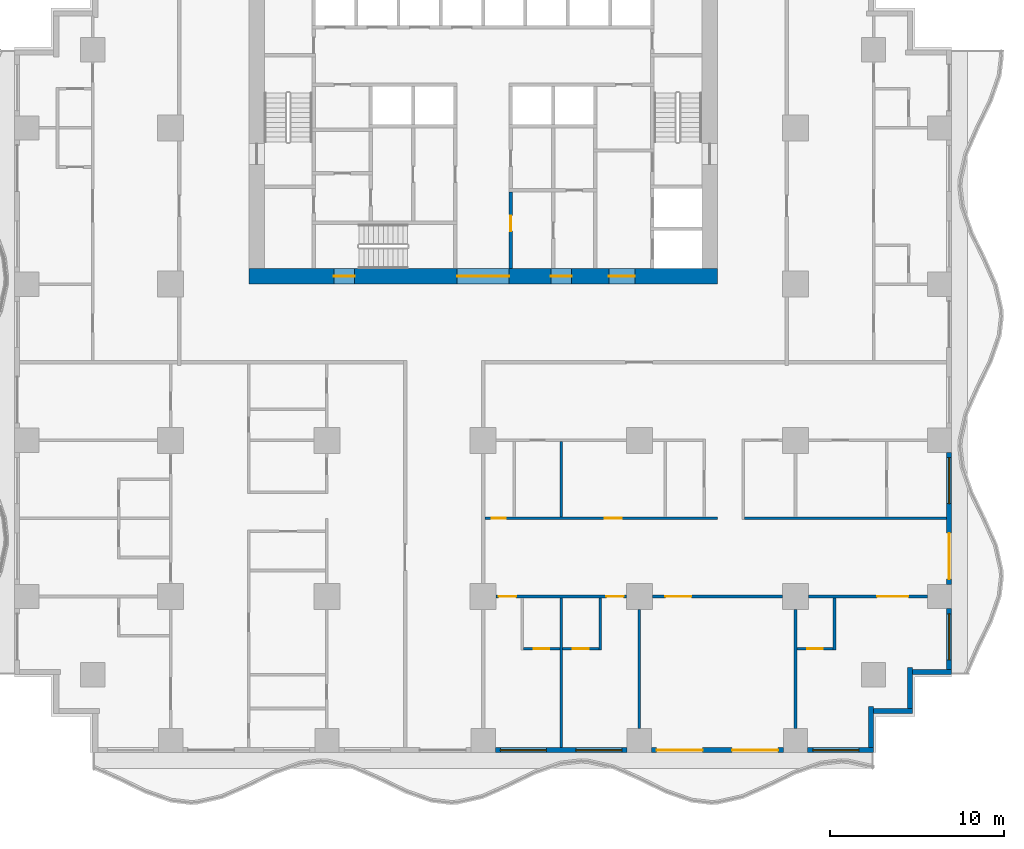
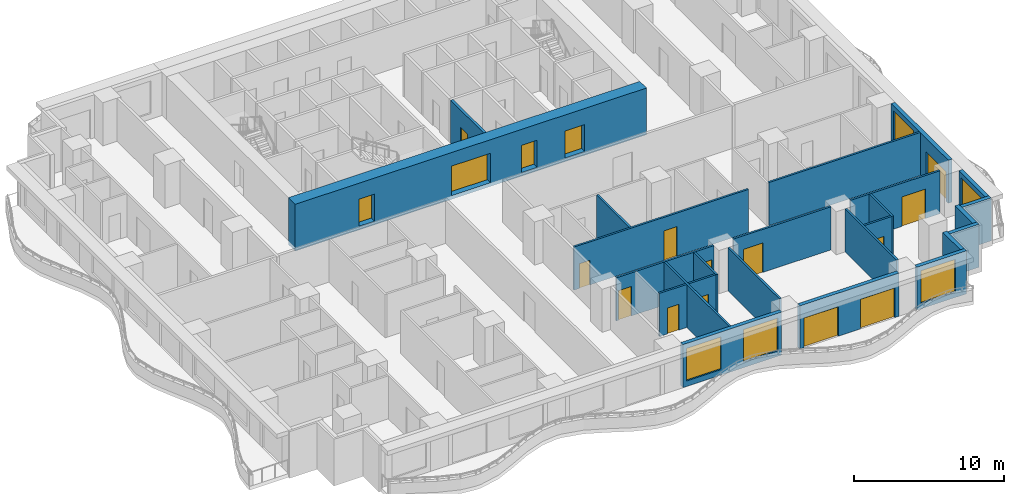
# One storey, part 3 of 14: 25 walls, 17 doors, 5 windows, 22 openings.
"""IFC4 building model written with IfcOpenShell, lengths in metres."""

import ifcopenshell
import ifcopenshell.guid

model = None  # the IFC model being written
_history = None  # IfcOwnerHistory: only IFC2X3 demands one
_inside = {}  # id of a spatial element -> (the spatial element, [elements in it])
_under = {}  # id of a project, library or spatial element -> (it, [spatial elements below it])
_declared = {}  # id of a project -> (the project, [libraries it declares])
_typed = {}  # id of a type object -> (the type object, [elements of that type])
_made_of = {}  # id of a material, layer set ... -> (it, [elements and type objects made of it])


def new_model(schema):
    """Start an empty IFC model of exactly this schema.

    Asked for "IFC4X3", IfcOpenShell would pick the latest addendum, in which some entities
    have other attributes; the version numbers below select the first issue.
    IFC2X3 requires an IfcOwnerHistory on every rooted entity: one is made here for all.
    """
    global model, _history
    if schema == "IFC4X3":
        model = ifcopenshell.file(schema_version=(4, 3, 0, 0))
    else:
        model = ifcopenshell.file(schema=schema)
    _inside.clear()
    _under.clear()
    _declared.clear()
    _typed.clear()
    _made_of.clear()
    _history = None
    if model.schema == "IFC2X3":
        org = make("IfcOrganization", Name="unknown")
        user = make(
            "IfcPersonAndOrganization",
            ThePerson=make("IfcPerson", FamilyName="unknown"),
            TheOrganization=org,
        )
        app = make(
            "IfcApplication",
            ApplicationDeveloper=org,
            Version="unknown",
            ApplicationFullName="unknown",
            ApplicationIdentifier="unknown",
        )
        _history = make(
            "IfcOwnerHistory",
            OwningUser=user,
            OwningApplication=app,
            ChangeAction="ADDED",
            CreationDate=0,
        )
    return model


def make(cls, **values):
    """One entity of the class cls with the attributes given. An attribute that is None is left unset."""
    return model.create_entity(
        cls, **{name: value for name, value in values.items() if value is not None}
    )


def rooted(cls, **values):
    """An entity with a GlobalId (a new one), such as an element, a storey or a relation."""
    return make(cls, GlobalId=ifcopenshell.guid.new(), OwnerHistory=_history, **values)


def si_unit(unit_type, name, prefix=None):
    """IfcSIUnit, for example si_unit("LENGTHUNIT", "METRE", prefix="MILLI")."""
    return make("IfcSIUnit", UnitType=unit_type, Prefix=prefix, Name=name)


def assignment(units):
    """IfcUnitAssignment: the units of a project."""
    return None if units is None else make("IfcUnitAssignment", Units=units)


def point(xyz):
    """IfcCartesianPoint."""
    return None if xyz is None else make("IfcCartesianPoint", Coordinates=xyz)


def direction(xyz):
    """IfcDirection."""
    return None if xyz is None else make("IfcDirection", DirectionRatios=xyz)


def frame(location, z_axis=None, x_axis=None):
    """IfcAxis2Placement3D, a coordinate frame: its origin and axes. An axis left out is left unset."""
    return make(
        "IfcAxis2Placement3D",
        Location=point(location),
        Axis=direction(z_axis),
        RefDirection=direction(x_axis),
    )


def frame_2d(location, x_axis=None):
    """IfcAxis2Placement2D, a coordinate frame in the plane: its origin and x axis."""
    return make(
        "IfcAxis2Placement2D", Location=point(location), RefDirection=direction(x_axis)
    )


def origin():
    """The frame at (0, 0, 0) with its axes left unset."""
    return frame((0.0, 0.0, 0.0))


def place(relative_to, where):
    """IfcLocalPlacement: puts the frame where relative to a parent placement (None: the world)."""
    return make(
        "IfcLocalPlacement", PlacementRelTo=relative_to, RelativePlacement=where
    )


def context(
    kind, dimensions, precision=None, world=None, true_north=None, identifier=None
):
    """IfcGeometricRepresentationContext, for example the 3D "Model" context."""
    return make(
        "IfcGeometricRepresentationContext",
        ContextIdentifier=identifier,
        ContextType=kind,
        CoordinateSpaceDimension=dimensions,
        Precision=precision,
        WorldCoordinateSystem=world,
        TrueNorth=true_north,
    )


def subcontext(parent, identifier, kind, view, scale=None):
    """IfcGeometricRepresentationSubContext, for example "Body" below "Model"."""
    return make(
        "IfcGeometricRepresentationSubContext",
        ContextIdentifier=identifier,
        ContextType=kind,
        ParentContext=parent,
        TargetScale=scale,
        TargetView=view,
    )


def project(units=None, contexts=None):
    """IfcProject with its units and contexts."""
    return rooted(
        "IfcProject",
        Name="project",
        RepresentationContexts=contexts,
        UnitsInContext=assignment(units),
    )


def spatial(cls, under=None, at=None, **own):
    """A site, building, storey or space (cls), placed at a placement, below another one or the project."""
    s = rooted(cls, ObjectPlacement=at, **own)
    if under is not None:
        _under.setdefault(under.id(), (under, []))[1].append(s)
    return s


def profile(cls, at=None, kind="AREA", **sizes):
    """A parametric profile (cls). Its sizes go by their IFC names, for example OverallWidth=200.0."""
    return make(cls, ProfileType=kind, Position=at, **sizes)


def rectangle(**sizes):
    """IfcRectangleProfileDef."""
    return profile("IfcRectangleProfileDef", **sizes)


def extrude(swept, where, along, depth):
    """IfcExtrudedAreaSolid: the profile swept, set in the frame where, extruded along a direction by depth."""
    return make(
        "IfcExtrudedAreaSolid",
        SweptArea=swept,
        Position=where,
        ExtrudedDirection=direction(along),
        Depth=depth,
    )


def shape(context_of_items, identifier, shape_type, items):
    """IfcShapeRepresentation: the items that make up one representation, for example the "Body"."""
    return make(
        "IfcShapeRepresentation",
        ContextOfItems=context_of_items,
        RepresentationIdentifier=identifier,
        RepresentationType=shape_type,
        Items=items,
    )


def material(Name=None, Category=None):
    """IfcMaterial."""
    return make("IfcMaterial", Name=Name, Category=Category)


def layer(
    of_material, thickness, ventilated=None, Name=None, Category=None, Priority=None
):
    """IfcMaterialLayer: one layer of a wall or slab, of a material (None: an air gap)."""
    return make(
        "IfcMaterialLayer",
        Material=of_material,
        LayerThickness=thickness,
        IsVentilated=ventilated,
        Name=Name,
        Category=Category,
        Priority=Priority,
    )


def layer_set(layers, Name=None):
    """IfcMaterialLayerSet."""
    return make("IfcMaterialLayerSet", MaterialLayers=layers, LayerSetName=Name)


def made_of(thing, what):
    """Note that an element or type object is made of a material, layer set ...; save() writes the relation."""
    if what is not None:
        _made_of.setdefault(what.id(), (what, []))[1].append(thing)
    return thing


def type_object(cls, material=None, **own):
    """A type object (cls), such as IfcWallType, which elements share."""
    return made_of(rooted(cls, **own), material)


def element(
    cls,
    number,
    at=None,
    inside=None,
    cuts=None,
    type_object=None,
    material=None,
    context=None,
    identifier="Body",
    shape_type=None,
    held_by="IfcProductDefinitionShape",
    body=None,
    shapes=None,
    **own,
):
    """One element of the class cls, such as IfcWall. Its Tag is "e" and its number.

    at: its placement. inside: the storey or other place that contains it. cuts: it is an
    opening in that element (IfcRelVoidsElement). A single representation is given by context,
    identifier, shape_type and body (its items); several are given by shapes. held_by: the class
    of the entity that holds the representations. save() writes the other relations.
    """
    e = rooted(cls, Tag="e%d" % number, ObjectPlacement=at, **own)
    if body is not None:
        shapes = [shape(context, identifier, shape_type, body)]
    if shapes is not None:
        e.Representation = make(held_by, Representations=shapes)
    if inside is not None:
        _inside.setdefault(inside.id(), (inside, []))[1].append(e)
    if cuts is not None:
        rooted(
            "IfcRelVoidsElement", RelatingBuildingElement=cuts, RelatedOpeningElement=e
        )
    if type_object is not None:
        _typed.setdefault(type_object.id(), (type_object, []))[1].append(e)
    return made_of(e, material)


def fill(opening, filler):
    """IfcRelFillsElement: the door or window that sits in an opening."""
    return rooted(
        "IfcRelFillsElement",
        RelatingOpeningElement=opening,
        RelatedBuildingElement=filler,
    )


def aggregate(whole, parts):
    """IfcRelAggregates: a whole, such as a stair, and the parts it consists of."""
    return rooted("IfcRelAggregates", RelatingObject=whole, RelatedObjects=parts)


def save(model, path):
    """Write the relations noted so far, then the file.

    IfcRelAggregates (storeys below a building ...), IfcRelContainedInSpatialStructure (elements
    in a storey), IfcRelDefinesByType, IfcRelAssociatesMaterial and IfcRelDeclares: one each for
    every whole, place, type object, material and project.
    """
    for whole, parts in _under.values():
        aggregate(whole, parts)
    for where, things in _inside.values():
        rooted(
            "IfcRelContainedInSpatialStructure",
            RelatedElements=things,
            RelatingStructure=where,
        )
    for kind, things in _typed.values():
        rooted("IfcRelDefinesByType", RelatedObjects=things, RelatingType=kind)
    for what, things in _made_of.values():
        rooted("IfcRelAssociatesMaterial", RelatedObjects=things, RelatingMaterial=what)
    for by, libraries in _declared.values():
        rooted("IfcRelDeclares", RelatingContext=by, RelatedDefinitions=libraries)
    model.write(path)


model = new_model("IFC4")

# Units and contexts
model_context = context("Model", 3, precision=1e-05, world=origin(), true_north=direction((0.0, 1.0)))
body_context = subcontext(model_context, "Body", "Model", "MODEL_VIEW")
ifc_project = project(units=[si_unit("LENGTHUNIT", "METRE"), si_unit("AREAUNIT", "SQUARE_METRE"), si_unit("VOLUMEUNIT", "CUBIC_METRE"), si_unit("PLANEANGLEUNIT", "RADIAN"), si_unit("MASSUNIT", "GRAM", prefix="KILO")], contexts=[model_context])

# Site, building, storey
site_placement = place(None, origin())
site = spatial("IfcSite", under=ifc_project, at=site_placement, CompositionType="ELEMENT")
building_placement = place(site_placement, origin())
building = spatial("IfcBuilding", under=site, at=building_placement, Name="Orbiselva Terraces", CompositionType="ELEMENT")
storey_placement = place(building_placement, frame((0.0, 0.0, 41.6)))
storey = spatial("IfcBuildingStorey", under=building, at=storey_placement, Name="L10", CompositionType="ELEMENT", Elevation=41.6)

# Wall, openings, doors
ifc_material_1 = material(Name="Concrete C80/95", Category="concrete")
ifc_layer_1 = layer(ifc_material_1, 0.9)
ifc_layer_set_1 = layer_set([ifc_layer_1], Name="Concrete C80/95")
wall_type_1 = type_object("IfcWallType", Name="CORE WALL 900", PredefinedType="SHEAR", material=ifc_layer_set_1)
wall_1_placement = place(storey_placement, frame((-13.5, 4.95, -0.3), z_axis=(0.0, 0.0, 1.0), x_axis=(1.0, 0.0, 0.0)))
wall_1 = element("IfcWall", 1, at=wall_1_placement, inside=storey, type_object=wall_type_1, Name="Core wall L10 south", PredefinedType="SHEAR", context=body_context, shape_type="SweptSolid", body=[
    extrude(rectangle(XDim=27.0, YDim=0.9, at=frame_2d((13.5, 0.0))), origin(), (0.0, 0.0, 1.0), 3.8),
])
opening_1_placement = place(wall_1_placement, frame((12.0, 0.0, 0.3)))
opening_1 = element("IfcOpeningElement", 2, at=opening_1_placement, cuts=wall_1, Name="Opening DL3000", PredefinedType="OPENING", context=body_context, shape_type="SweptSolid", body=[
    extrude(rectangle(XDim=3.0, YDim=2.4, at=frame_2d((1.5, 1.2))), frame((0.0, 0.46, 0.0), z_axis=(0.0, -1.0, 0.0), x_axis=(1.0, 0.0, 0.0)), (0.0, 0.0, 1.0), 0.92),
])
opening_2_placement = place(wall_1_placement, frame((4.9, 0.0, 0.3)))
opening_2 = element("IfcOpeningElement", 3, at=opening_2_placement, cuts=wall_1, Name="Opening DS1200", PredefinedType="OPENING", context=body_context, shape_type="SweptSolid", body=[
    extrude(rectangle(XDim=1.2, YDim=2.2, at=frame_2d((0.6, 1.1))), frame((0.0, 0.46, 0.0), z_axis=(0.0, -1.0, 0.0), x_axis=(1.0, 0.0, 0.0)), (0.0, 0.0, 1.0), 0.92),
])
opening_3_placement = place(wall_1_placement, frame((20.75, 0.0, 0.3)))
opening_3 = element("IfcOpeningElement", 4, at=opening_3_placement, cuts=wall_1, Name="Opening DF1500", PredefinedType="OPENING", context=body_context, shape_type="SweptSolid", body=[
    extrude(rectangle(XDim=1.5, YDim=2.2, at=frame_2d((0.75, 1.1))), frame((0.0, 0.46, 0.0), z_axis=(0.0, -1.0, 0.0), x_axis=(1.0, 0.0, 0.0)), (0.0, 0.0, 1.0), 0.92),
])
opening_4_placement = place(wall_1_placement, frame((17.4, 0.0, 0.3)))
opening_4 = element("IfcOpeningElement", 5, at=opening_4_placement, cuts=wall_1, Name="Opening DV1200", PredefinedType="OPENING", context=body_context, shape_type="SweptSolid", body=[
    extrude(rectangle(XDim=1.2, YDim=2.2, at=frame_2d((0.6, 1.1))), frame((0.0, 0.46, 0.0), z_axis=(0.0, -1.0, 0.0), x_axis=(1.0, 0.0, 0.0)), (0.0, 0.0, 1.0), 0.92),
])
ifc_material_2 = material(Name="Steel fire door", Category="steel")
door_type_1 = type_object("IfcDoorType", Name="FFL DOOR 1500", OperationType="DOUBLE_DOOR_SINGLE_SWING", PredefinedType="DOOR", material=ifc_material_2)
door_1_placement = place(opening_3_placement, frame((1.5, 0.0, 0.0), z_axis=(0.0, 0.0, 1.0), x_axis=(-1.0, 0.0, 0.0)))
door_1 = element("IfcDoor", 6, at=door_1_placement, inside=storey, type_object=door_type_1, Name="L10 FIRE-FIGHTING LOBBY door", OperationType="DOUBLE_DOOR_SINGLE_SWING", OverallHeight=2.2, OverallWidth=1.5, PredefinedType="DOOR", context=body_context, shape_type="SweptSolid", body=[
    extrude(rectangle(XDim=1.5, YDim=2.2, at=frame_2d((0.75, 1.1))), frame((0.0, 0.025, 0.0), z_axis=(0.0, -1.0, 0.0), x_axis=(1.0, 0.0, 0.0)), (0.0, 0.0, 1.0), 0.05),
])
fill(opening_3, door_1)
door_type_2 = type_object("IfcDoorType", Name="LOBBY DOOR 3000", OperationType="DOUBLE_DOOR_SINGLE_SWING", PredefinedType="DOOR", material=ifc_material_2)
door_2_placement = place(opening_1_placement, frame((3.0, 0.0, 0.0), z_axis=(0.0, 0.0, 1.0), x_axis=(-1.0, 0.0, 0.0)))
door_2 = element("IfcDoor", 7, at=door_2_placement, inside=storey, type_object=door_type_2, Name="L10 LIFT LOBBY door", OperationType="DOUBLE_DOOR_SINGLE_SWING", OverallHeight=2.4, OverallWidth=3.0, PredefinedType="DOOR", context=body_context, shape_type="SweptSolid", body=[
    extrude(rectangle(XDim=3.0, YDim=2.4, at=frame_2d((1.5, 1.2))), frame((0.0, 0.025, 0.0), z_axis=(0.0, -1.0, 0.0), x_axis=(1.0, 0.0, 0.0)), (0.0, 0.0, 1.0), 0.05),
])
fill(opening_1, door_2)
door_type_3 = type_object("IfcDoorType", Name="SERVICE DOOR 1200", OperationType="NOTDEFINED", PredefinedType="DOOR", material=ifc_material_2)
door_3_placement = place(opening_4_placement, frame((1.2, 0.0, 0.0), z_axis=(0.0, 0.0, 1.0), x_axis=(-1.0, 0.0, 0.0)))
door_3 = element("IfcDoor", 8, at=door_3_placement, inside=storey, type_object=door_type_3, Name="L10 SPARE PARTS STORE door", OperationType="SINGLE_SWING_RIGHT", OverallHeight=2.2, OverallWidth=1.2, PredefinedType="DOOR", context=body_context, shape_type="SweptSolid", body=[
    extrude(rectangle(XDim=1.2, YDim=2.2, at=frame_2d((0.6, 1.1))), frame((0.0, 0.025, 0.0), z_axis=(0.0, -1.0, 0.0), x_axis=(1.0, 0.0, 0.0)), (0.0, 0.0, 1.0), 0.05),
])
fill(opening_4, door_3)
door_type_4 = type_object("IfcDoorType", Name="STAIR DOOR 1200", OperationType="NOTDEFINED", PredefinedType="DOOR", material=ifc_material_2)
door_4_placement = place(opening_2_placement, frame((1.2, 0.0, 0.0), z_axis=(0.0, 0.0, 1.0), x_axis=(-1.0, 0.0, 0.0)))
door_4 = element("IfcDoor", 9, at=door_4_placement, inside=storey, type_object=door_type_4, Name="L10 EXIT STAIR S3 door", OperationType="SINGLE_SWING_LEFT", OverallHeight=2.2, OverallWidth=1.2, PredefinedType="DOOR", context=body_context, shape_type="SweptSolid", body=[
    extrude(rectangle(XDim=1.2, YDim=2.2, at=frame_2d((0.6, 1.1))), frame((0.0, 0.025, 0.0), z_axis=(0.0, -1.0, 0.0), x_axis=(1.0, 0.0, 0.0)), (0.0, 0.0, 1.0), 0.05),
])
fill(opening_2, door_4)

# Wall, opening, door
ifc_material_3 = material(Name="Concrete C60/75", Category="concrete")
ifc_layer_2 = layer(ifc_material_3, 0.2)
ifc_layer_set_2 = layer_set([ifc_layer_2], Name="Concrete C60/75")
wall_type_2 = type_object("IfcWallType", Name="CORE-WALL-SHEAR-200", PredefinedType="SHEAR", material=ifc_layer_set_2)
wall_2_placement = place(storey_placement, frame((1.6, 9.8, 0.0), z_axis=(0.0, 0.0, 1.0), x_axis=(0.0, -1.0, 0.0)))
wall_2 = element("IfcWall", 10, at=wall_2_placement, inside=storey, type_object=wall_type_2, Name="L10 core wall 29", PredefinedType="SHEAR", context=body_context, shape_type="SweptSolid", body=[
    extrude(rectangle(XDim=4.4, YDim=0.2, at=frame_2d((2.2, 0.0))), origin(), (0.0, 0.0, 1.0), 3.5),
])
opening_5_placement = place(wall_2_placement, frame((1.35, 0.0, 0.0)))
opening_5 = element("IfcOpeningElement", 11, at=opening_5_placement, cuts=wall_2, Name="Opening DR900", PredefinedType="OPENING", context=body_context, shape_type="SweptSolid", body=[
    extrude(rectangle(XDim=0.9, YDim=2.1, at=frame_2d((0.45, 1.05))), frame((0.0, 0.11, 0.0), z_axis=(0.0, -1.0, 0.0), x_axis=(1.0, 0.0, 0.0)), (0.0, 0.0, 1.0), 0.22),
])
door_type_5 = type_object("IfcDoorType", Name="ROOM DOOR 900", OperationType="NOTDEFINED", PredefinedType="DOOR", material=ifc_material_2)
door_5_placement = place(opening_5_placement, origin())
door_5 = element("IfcDoor", 12, at=door_5_placement, inside=storey, type_object=door_type_5, Name="L10 ELECTRICAL ROOM door", OperationType="SINGLE_SWING_LEFT", OverallHeight=2.1, OverallWidth=0.9, PredefinedType="DOOR", context=body_context, shape_type="SweptSolid", body=[
    extrude(rectangle(XDim=0.9, YDim=2.1, at=frame_2d((0.45, 1.05))), frame((0.0, 0.025, 0.0), z_axis=(0.0, -1.0, 0.0), x_axis=(1.0, 0.0, 0.0)), (0.0, 0.0, 1.0), 0.05),
])
fill(opening_5, door_5)

# Wall, openings, windows
ifc_material_4 = material(Name="Terracotta cladding on masonry backing", Category="masonry")
ifc_layer_3 = layer(ifc_material_4, 0.3)
ifc_layer_set_3 = layer_set([ifc_layer_3], Name="Terracotta cladding on masonry backing")
wall_type_3 = type_object("IfcWallType", Name="ENV-WALL-TERRACOTTA-300", PredefinedType="SOLIDWALL", material=ifc_layer_set_3)
wall_3_placement = place(storey_placement, frame((8.3, -22.35, 0.0), z_axis=(0.0, 0.0, 1.0), x_axis=(-1.0, 0.0, 0.0)))
wall_3 = element("IfcWall", 13, at=wall_3_placement, inside=storey, type_object=wall_type_3, Name="Facade wall L10 S", PredefinedType="SOLIDWALL", context=body_context, shape_type="SweptSolid", body=[
    extrude(rectangle(XDim=7.6, YDim=0.3, at=frame_2d((3.8, 0.0))), origin(), (0.0, 0.0, 1.0), 3.5),
])
opening_6_placement = place(wall_3_placement, frame((4.65, 0.0, 0.45)))
opening_6 = element("IfcOpeningElement", 14, at=opening_6_placement, cuts=wall_3, Name="Opening WN3", PredefinedType="OPENING", context=body_context, shape_type="SweptSolid", body=[
    extrude(rectangle(XDim=2.65, YDim=2.65, at=frame_2d((1.325, 1.325))), frame((0.0, 0.16, 0.0), z_axis=(0.0, -1.0, 0.0), x_axis=(1.0, 0.0, 0.0)), (0.0, 0.0, 1.0), 0.32),
])
opening_7_placement = place(wall_3_placement, frame((0.3, 0.0, 0.45)))
opening_7 = element("IfcOpeningElement", 15, at=opening_7_placement, cuts=wall_3, Name="Opening WN3", PredefinedType="OPENING", context=body_context, shape_type="SweptSolid", body=[
    extrude(rectangle(XDim=2.65, YDim=2.65, at=frame_2d((1.325, 1.325))), frame((0.0, 0.16, 0.0), z_axis=(0.0, -1.0, 0.0), x_axis=(1.0, 0.0, 0.0)), (0.0, 0.0, 1.0), 0.32),
])
ifc_material_5 = material(Name="Clear low-e glazing in aluminium frame", Category="aluminium")
window_type = type_object("IfcWindowType", Name="WINDOW 2650 X 2650 S450", PartitioningType="TRIPLE_PANEL_VERTICAL", PredefinedType="WINDOW", material=ifc_material_5)
window_1_placement = place(opening_6_placement, origin())
window_1 = element("IfcWindow", 16, at=window_1_placement, inside=storey, type_object=window_type, Name="Window L10 S", OverallHeight=2.65, OverallWidth=2.65, PartitioningType="SINGLE_PANEL", PredefinedType="WINDOW", context=body_context, shape_type="SweptSolid", body=[
    extrude(rectangle(XDim=2.65, YDim=2.65, at=frame_2d((1.325, 1.325))), frame((0.0, 0.03, 0.0), z_axis=(0.0, -1.0, 0.0), x_axis=(1.0, 0.0, 0.0)), (0.0, 0.0, 1.0), 0.06),
])
fill(opening_6, window_1)
window_2_placement = place(opening_7_placement, origin())
window_2 = element("IfcWindow", 17, at=window_2_placement, inside=storey, type_object=window_type, Name="Window L10 S", OverallHeight=2.65, OverallWidth=2.65, PartitioningType="SINGLE_PANEL", PredefinedType="WINDOW", context=body_context, shape_type="SweptSolid", body=[
    extrude(rectangle(XDim=2.65, YDim=2.65, at=frame_2d((1.325, 1.325))), frame((0.0, 0.03, 0.0), z_axis=(0.0, -1.0, 0.0), x_axis=(1.0, 0.0, 0.0)), (0.0, 0.0, 1.0), 0.06),
])
fill(opening_7, window_2)

# Wall, openings, doors
wall_4_placement = place(storey_placement, frame((17.3, -22.35, 0.0), z_axis=(0.0, 0.0, 1.0), x_axis=(-1.0, 0.0, 0.0)))
wall_4 = element("IfcWall", 18, at=wall_4_placement, inside=storey, type_object=wall_type_3, Name="Facade wall L10 S", PredefinedType="SOLIDWALL", context=body_context, shape_type="SweptSolid", body=[
    extrude(rectangle(XDim=7.6, YDim=0.3, at=frame_2d((3.8, 0.0))), origin(), (0.0, 0.0, 1.0), 3.5),
])
opening_8_placement = place(wall_4_placement, frame((4.65, 0.0, 0.0)))
opening_8 = element("IfcOpeningElement", 19, at=opening_8_placement, cuts=wall_4, Name="Opening Z1-C-E15", PredefinedType="OPENING", context=body_context, shape_type="SweptSolid", body=[
    extrude(rectangle(XDim=2.65, YDim=2.4, at=frame_2d((1.325, 1.2))), frame((0.0, 0.16, 0.0), z_axis=(0.0, -1.0, 0.0), x_axis=(1.0, 0.0, 0.0)), (0.0, 0.0, 1.0), 0.32),
])
opening_9_placement = place(wall_4_placement, frame((0.3, 0.0, 0.0)))
opening_9 = element("IfcOpeningElement", 20, at=opening_9_placement, cuts=wall_4, Name="Opening Z1-C-E16", PredefinedType="OPENING", context=body_context, shape_type="SweptSolid", body=[
    extrude(rectangle(XDim=2.65, YDim=2.4, at=frame_2d((1.325, 1.2))), frame((0.0, 0.16, 0.0), z_axis=(0.0, -1.0, 0.0), x_axis=(1.0, 0.0, 0.0)), (0.0, 0.0, 1.0), 0.32),
])
door_type_6 = type_object("IfcDoorType", Name="BALCONY DOOR 2650 X 2400", OperationType="DOUBLE_DOOR_SLIDING", PredefinedType="DOOR", material=ifc_material_5)
door_6_placement = place(opening_8_placement, origin())
door_6 = element("IfcDoor", 21, at=door_6_placement, inside=storey, type_object=door_type_6, Name="Z1-C-E15", OperationType="SINGLE_SWING_LEFT", OverallHeight=2.4, OverallWidth=2.65, PredefinedType="DOOR", context=body_context, shape_type="SweptSolid", body=[
    extrude(rectangle(XDim=2.65, YDim=2.4, at=frame_2d((1.325, 1.2))), frame((0.0, 0.025, 0.0), z_axis=(0.0, -1.0, 0.0), x_axis=(1.0, 0.0, 0.0)), (0.0, 0.0, 1.0), 0.05),
])
fill(opening_8, door_6)
door_7_placement = place(opening_9_placement, origin())
door_7 = element("IfcDoor", 22, at=door_7_placement, inside=storey, type_object=door_type_6, Name="Z1-C-E16", OperationType="SINGLE_SWING_LEFT", OverallHeight=2.4, OverallWidth=2.65, PredefinedType="DOOR", context=body_context, shape_type="SweptSolid", body=[
    extrude(rectangle(XDim=2.65, YDim=2.4, at=frame_2d((1.325, 1.2))), frame((0.0, 0.025, 0.0), z_axis=(0.0, -1.0, 0.0), x_axis=(1.0, 0.0, 0.0)), (0.0, 0.0, 1.0), 0.05),
])
fill(opening_9, door_7)

# Wall, opening, window
wall_5_placement = place(storey_placement, frame((22.5, -22.35, 0.0), z_axis=(0.0, 0.0, 1.0), x_axis=(-1.0, 0.0, 0.0)))
wall_5 = element("IfcWall", 23, at=wall_5_placement, inside=storey, type_object=wall_type_3, Name="Facade wall L10 S", PredefinedType="SOLIDWALL", context=body_context, shape_type="SweptSolid", body=[
    extrude(rectangle(XDim=3.8, YDim=0.3, at=frame_2d((1.9, 0.0))), origin(), (0.0, 0.0, 1.0), 3.5),
])
opening_10_placement = place(wall_5_placement, frame((0.85, 0.0, 0.45)))
opening_10 = element("IfcOpeningElement", 24, at=opening_10_placement, cuts=wall_5, Name="Opening WN3", PredefinedType="OPENING", context=body_context, shape_type="SweptSolid", body=[
    extrude(rectangle(XDim=2.65, YDim=2.65, at=frame_2d((1.325, 1.325))), frame((0.0, 0.16, 0.0), z_axis=(0.0, -1.0, 0.0), x_axis=(1.0, 0.0, 0.0)), (0.0, 0.0, 1.0), 0.32),
])
window_3_placement = place(opening_10_placement, origin())
window_3 = element("IfcWindow", 25, at=window_3_placement, inside=storey, type_object=window_type, Name="Window L10 S", OverallHeight=2.65, OverallWidth=2.65, PartitioningType="SINGLE_PANEL", PredefinedType="WINDOW", context=body_context, shape_type="SweptSolid", body=[
    extrude(rectangle(XDim=2.65, YDim=2.65, at=frame_2d((1.325, 1.325))), frame((0.0, 0.03, 0.0), z_axis=(0.0, -1.0, 0.0), x_axis=(1.0, 0.0, 0.0)), (0.0, 0.0, 1.0), 0.06),
])
fill(opening_10, window_3)

# Walls
wall_6_placement = place(storey_placement, frame((22.35, -19.85, 0.0), z_axis=(0.0, 0.0, 1.0), x_axis=(0.0, -1.0, 0.0)))
element("IfcWall", 26, at=wall_6_placement, inside=storey, type_object=wall_type_3, Name="Facade wall L10 STEP", PredefinedType="SOLIDWALL", context=body_context, shape_type="SweptSolid", body=[
    extrude(rectangle(XDim=2.35, YDim=0.3, at=frame_2d((1.175, 0.0))), origin(), (0.0, 0.0, 1.0), 3.5),
])
wall_7_placement = place(storey_placement, frame((24.75, -20.1, 0.0), z_axis=(0.0, 0.0, 1.0), x_axis=(-1.0, 0.0, 0.0)))
element("IfcWall", 27, at=wall_7_placement, inside=storey, type_object=wall_type_3, Name="Facade wall L10 STEP", PredefinedType="SOLIDWALL", context=body_context, shape_type="SweptSolid", body=[
    extrude(rectangle(XDim=2.25, YDim=0.3, at=frame_2d((1.125, 0.0))), origin(), (0.0, 0.0, 1.0), 3.5),
])
wall_8_placement = place(storey_placement, frame((24.6, -17.6, 0.0), z_axis=(0.0, 0.0, 1.0), x_axis=(0.0, -1.0, 0.0)))
element("IfcWall", 28, at=wall_8_placement, inside=storey, type_object=wall_type_3, Name="Facade wall L10 STEP", PredefinedType="SOLIDWALL", context=body_context, shape_type="SweptSolid", body=[
    extrude(rectangle(XDim=2.35, YDim=0.3, at=frame_2d((1.175, 0.0))), origin(), (0.0, 0.0, 1.0), 3.5),
])
wall_9_placement = place(storey_placement, frame((27.0, -17.85, 0.0), z_axis=(0.0, 0.0, 1.0), x_axis=(-1.0, 0.0, 0.0)))
element("IfcWall", 29, at=wall_9_placement, inside=storey, type_object=wall_type_3, Name="Facade wall L10 STEP", PredefinedType="SOLIDWALL", context=body_context, shape_type="SweptSolid", body=[
    extrude(rectangle(XDim=2.25, YDim=0.3, at=frame_2d((1.125, 0.0))), origin(), (0.0, 0.0, 1.0), 3.5),
])

# Wall, opening, window
wall_10_placement = place(storey_placement, frame((26.85, -14.2, 0.0), z_axis=(0.0, 0.0, 1.0), x_axis=(0.0, -1.0, 0.0)))
wall_10 = element("IfcWall", 30, at=wall_10_placement, inside=storey, type_object=wall_type_3, Name="Facade wall L10 E", PredefinedType="SOLIDWALL", context=body_context, shape_type="SweptSolid", body=[
    extrude(rectangle(XDim=3.5, YDim=0.3, at=frame_2d((1.75, 0.0))), origin(), (0.0, 0.0, 1.0), 3.5),
])
opening_11_placement = place(wall_10_placement, frame((0.3, 0.0, 0.45)))
opening_11 = element("IfcOpeningElement", 31, at=opening_11_placement, cuts=wall_10, Name="Opening WN3", PredefinedType="OPENING", context=body_context, shape_type="SweptSolid", body=[
    extrude(rectangle(XDim=2.65, YDim=2.65, at=frame_2d((1.325, 1.325))), frame((0.0, 0.16, 0.0), z_axis=(0.0, -1.0, 0.0), x_axis=(1.0, 0.0, 0.0)), (0.0, 0.0, 1.0), 0.32),
])
window_4_placement = place(opening_11_placement, origin())
window_4 = element("IfcWindow", 32, at=window_4_placement, inside=storey, type_object=window_type, Name="Window L10 E", OverallHeight=2.65, OverallWidth=2.65, PartitioningType="SINGLE_PANEL", PredefinedType="WINDOW", context=body_context, shape_type="SweptSolid", body=[
    extrude(rectangle(XDim=2.65, YDim=2.65, at=frame_2d((1.325, 1.325))), frame((0.0, 0.03, 0.0), z_axis=(0.0, -1.0, 0.0), x_axis=(1.0, 0.0, 0.0)), (0.0, 0.0, 1.0), 0.06),
])
fill(opening_11, window_4)

# Wall, openings, door, window
wall_11_placement = place(storey_placement, frame((26.85, -5.2, 0.0), z_axis=(0.0, 0.0, 1.0), x_axis=(0.0, -1.0, 0.0)))
wall_11 = element("IfcWall", 33, at=wall_11_placement, inside=storey, type_object=wall_type_3, Name="Facade wall L10 E", PredefinedType="SOLIDWALL", context=body_context, shape_type="SweptSolid", body=[
    extrude(rectangle(XDim=7.6, YDim=0.3, at=frame_2d((3.8, 0.0))), origin(), (0.0, 0.0, 1.0), 3.5),
])
opening_12_placement = place(wall_11_placement, frame((4.65, 0.0, 0.0)))
opening_12 = element("IfcOpeningElement", 34, at=opening_12_placement, cuts=wall_11, Name="Opening Z1-C-E17", PredefinedType="OPENING", context=body_context, shape_type="SweptSolid", body=[
    extrude(rectangle(XDim=2.65, YDim=2.4, at=frame_2d((1.325, 1.2))), frame((0.0, 0.16, 0.0), z_axis=(0.0, -1.0, 0.0), x_axis=(1.0, 0.0, 0.0)), (0.0, 0.0, 1.0), 0.32),
])
opening_13_placement = place(wall_11_placement, frame((0.3, 0.0, 0.45)))
opening_13 = element("IfcOpeningElement", 35, at=opening_13_placement, cuts=wall_11, Name="Opening WN3", PredefinedType="OPENING", context=body_context, shape_type="SweptSolid", body=[
    extrude(rectangle(XDim=2.65, YDim=2.65, at=frame_2d((1.325, 1.325))), frame((0.0, 0.16, 0.0), z_axis=(0.0, -1.0, 0.0), x_axis=(1.0, 0.0, 0.0)), (0.0, 0.0, 1.0), 0.32),
])
door_8_placement = place(opening_12_placement, origin())
door_8 = element("IfcDoor", 36, at=door_8_placement, inside=storey, type_object=door_type_6, Name="Z1-C-E17", OperationType="SINGLE_SWING_LEFT", OverallHeight=2.4, OverallWidth=2.65, PredefinedType="DOOR", context=body_context, shape_type="SweptSolid", body=[
    extrude(rectangle(XDim=2.65, YDim=2.4, at=frame_2d((1.325, 1.2))), frame((0.0, 0.025, 0.0), z_axis=(0.0, -1.0, 0.0), x_axis=(1.0, 0.0, 0.0)), (0.0, 0.0, 1.0), 0.05),
])
fill(opening_12, door_8)
window_5_placement = place(opening_13_placement, origin())
window_5 = element("IfcWindow", 37, at=window_5_placement, inside=storey, type_object=window_type, Name="Window L10 E", OverallHeight=2.65, OverallWidth=2.65, PartitioningType="SINGLE_PANEL", PredefinedType="WINDOW", context=body_context, shape_type="SweptSolid", body=[
    extrude(rectangle(XDim=2.65, YDim=2.65, at=frame_2d((1.325, 1.325))), frame((0.0, 0.03, 0.0), z_axis=(0.0, -1.0, 0.0), x_axis=(1.0, 0.0, 0.0)), (0.0, 0.0, 1.0), 0.06),
])
fill(opening_13, window_5)

# Wall, opening, door
ifc_material_6 = material(Name="Plasterboard on steel stud partition", Category="steel")
ifc_layer_4 = layer(ifc_material_6, 0.15)
ifc_layer_set_4 = layer_set([ifc_layer_4], Name="Plasterboard on steel stud partition")
wall_type_4 = type_object("IfcWallType", Name="UNIT-PARTITION-150", PredefinedType="PARTITIONING", material=ifc_layer_set_4)
wall_12_placement = place(storey_placement, frame((2.325, -16.5, 0.0), z_axis=(0.0, 0.0, 1.0), x_axis=(1.0, 0.0, 0.0)))
wall_12 = element("IfcWall", 38, at=wall_12_placement, inside=storey, type_object=wall_type_4, Name="PARTITION L10-003", PredefinedType="PARTITIONING", context=body_context, shape_type="SweptSolid", body=[
    extrude(rectangle(XDim=2.1, YDim=0.15, at=frame_2d((1.05, 0.0))), origin(), (0.0, 0.0, 1.0), 3.5),
])
opening_14_placement = place(wall_12_placement, frame((0.6, 0.0, 0.0)))
opening_14 = element("IfcOpeningElement", 39, at=opening_14_placement, cuts=wall_12, Name="Opening Z1-C-37", PredefinedType="OPENING", context=body_context, shape_type="SweptSolid", body=[
    extrude(rectangle(XDim=0.9, YDim=2.1, at=frame_2d((0.45, 1.05))), frame((0.0, 0.085, 0.0), z_axis=(0.0, -1.0, 0.0), x_axis=(1.0, 0.0, 0.0)), (0.0, 0.0, 1.0), 0.17),
])
ifc_material_7 = material(Name="Painted timber door leaf", Category="wood")
door_type_7 = type_object("IfcDoorType", Name="BATH DOOR 900", OperationType="NOTDEFINED", PredefinedType="DOOR", material=ifc_material_7)
door_9_placement = place(opening_14_placement, origin())
door_9 = element("IfcDoor", 40, at=door_9_placement, inside=storey, type_object=door_type_7, Name="Z1-C-37", OperationType="SINGLE_SWING_RIGHT", OverallHeight=2.1, OverallWidth=0.9, PredefinedType="DOOR", context=body_context, shape_type="SweptSolid", body=[
    extrude(rectangle(XDim=0.9, YDim=2.1, at=frame_2d((0.45, 1.05))), frame((0.0, 0.025, 0.0), z_axis=(0.0, -1.0, 0.0), x_axis=(1.0, 0.0, 0.0)), (0.0, 0.0, 1.0), 0.05),
])
fill(opening_14, door_9)

wall_13_placement = place(storey_placement, frame((4.575, -16.5, 0.0), z_axis=(0.0, 0.0, 1.0), x_axis=(1.0, 0.0, 0.0)))
wall_13 = element("IfcWall", 41, at=wall_13_placement, inside=storey, type_object=wall_type_4, Name="PARTITION L10-004", PredefinedType="PARTITIONING", context=body_context, shape_type="SweptSolid", body=[
    extrude(rectangle(XDim=2.1, YDim=0.15, at=frame_2d((1.05, 0.0))), origin(), (0.0, 0.0, 1.0), 3.5),
])
opening_15_placement = place(wall_13_placement, frame((0.6, 0.0, 0.0)))
opening_15 = element("IfcOpeningElement", 42, at=opening_15_placement, cuts=wall_13, Name="Opening Z1-C-39", PredefinedType="OPENING", context=body_context, shape_type="SweptSolid", body=[
    extrude(rectangle(XDim=0.9, YDim=2.1, at=frame_2d((0.45, 1.05))), frame((0.0, 0.085, 0.0), z_axis=(0.0, -1.0, 0.0), x_axis=(1.0, 0.0, 0.0)), (0.0, 0.0, 1.0), 0.17),
])
door_10_placement = place(opening_15_placement, origin())
door_10 = element("IfcDoor", 43, at=door_10_placement, inside=storey, type_object=door_type_7, Name="Z1-C-39", OperationType="SINGLE_SWING_LEFT", OverallHeight=2.1, OverallWidth=0.9, PredefinedType="DOOR", context=body_context, shape_type="SweptSolid", body=[
    extrude(rectangle(XDim=0.9, YDim=2.1, at=frame_2d((0.45, 1.05))), frame((0.0, 0.025, 0.0), z_axis=(0.0, -1.0, 0.0), x_axis=(1.0, 0.0, 0.0)), (0.0, 0.0, 1.0), 0.05),
])
fill(opening_15, door_10)

wall_14_placement = place(storey_placement, frame((18.075, -16.5, 0.0), z_axis=(0.0, 0.0, 1.0), x_axis=(1.0, 0.0, 0.0)))
wall_14 = element("IfcWall", 44, at=wall_14_placement, inside=storey, type_object=wall_type_4, Name="PARTITION L10-005", PredefinedType="PARTITIONING", context=body_context, shape_type="SweptSolid", body=[
    extrude(rectangle(XDim=2.1, YDim=0.15, at=frame_2d((1.05, 0.0))), origin(), (0.0, 0.0, 1.0), 3.5),
])
opening_16_placement = place(wall_14_placement, frame((0.6, 0.0, 0.0)))
opening_16 = element("IfcOpeningElement", 45, at=opening_16_placement, cuts=wall_14, Name="Opening Z1-C-42", PredefinedType="OPENING", context=body_context, shape_type="SweptSolid", body=[
    extrude(rectangle(XDim=0.9, YDim=2.1, at=frame_2d((0.45, 1.05))), frame((0.0, 0.085, 0.0), z_axis=(0.0, -1.0, 0.0), x_axis=(1.0, 0.0, 0.0)), (0.0, 0.0, 1.0), 0.17),
])
door_11_placement = place(opening_16_placement, origin())
door_11 = element("IfcDoor", 46, at=door_11_placement, inside=storey, type_object=door_type_7, Name="Z1-C-42", OperationType="SINGLE_SWING_LEFT", OverallHeight=2.1, OverallWidth=0.9, PredefinedType="DOOR", context=body_context, shape_type="SweptSolid", body=[
    extrude(rectangle(XDim=0.9, YDim=2.1, at=frame_2d((0.45, 1.05))), frame((0.0, 0.025, 0.0), z_axis=(0.0, -1.0, 0.0), x_axis=(1.0, 0.0, 0.0)), (0.0, 0.0, 1.0), 0.05),
])
fill(opening_16, door_11)

# Wall, openings, doors
wall_15_placement = place(storey_placement, frame((8.25, -13.5, 0.0), z_axis=(0.0, 0.0, 1.0), x_axis=(-1.0, 0.0, 0.0)))
wall_15 = element("IfcWall", 47, at=wall_15_placement, inside=storey, type_object=wall_type_4, Name="PARTITION L10-008", PredefinedType="PARTITIONING", context=body_context, shape_type="SweptSolid", body=[
    extrude(rectangle(XDim=7.5, YDim=0.15, at=frame_2d((3.75, 0.0))), origin(), (0.0, 0.0, 1.0), 3.5),
])
opening_17_placement = place(wall_15_placement, frame((6.35, 0.0, 0.0)))
opening_17 = element("IfcOpeningElement", 48, at=opening_17_placement, cuts=wall_15, Name="Opening Z1-C-36", PredefinedType="OPENING", context=body_context, shape_type="SweptSolid", body=[
    extrude(rectangle(XDim=1.0, YDim=2.4, at=frame_2d((0.5, 1.2))), frame((0.0, 0.085, 0.0), z_axis=(0.0, -1.0, 0.0), x_axis=(1.0, 0.0, 0.0)), (0.0, 0.0, 1.0), 0.17),
])
opening_18_placement = place(wall_15_placement, frame((0.15, 0.0, 0.0)))
opening_18 = element("IfcOpeningElement", 49, at=opening_18_placement, cuts=wall_15, Name="Opening Z1-C-38", PredefinedType="OPENING", context=body_context, shape_type="SweptSolid", body=[
    extrude(rectangle(XDim=1.0, YDim=2.4, at=frame_2d((0.5, 1.2))), frame((0.0, 0.085, 0.0), z_axis=(0.0, -1.0, 0.0), x_axis=(1.0, 0.0, 0.0)), (0.0, 0.0, 1.0), 0.17),
])
door_type_8 = type_object("IfcDoorType", Name="ROOM DOOR 1000", OperationType="NOTDEFINED", PredefinedType="DOOR", material=ifc_material_7)
door_12_placement = place(opening_17_placement, origin())
door_12 = element("IfcDoor", 50, at=door_12_placement, inside=storey, type_object=door_type_8, Name="Z1-C-36", OperationType="SINGLE_SWING_RIGHT", OverallHeight=2.4, OverallWidth=1.0, PredefinedType="DOOR", context=body_context, shape_type="SweptSolid", body=[
    extrude(rectangle(XDim=1.0, YDim=2.4, at=frame_2d((0.5, 1.2))), frame((0.0, 0.025, 0.0), z_axis=(0.0, -1.0, 0.0), x_axis=(1.0, 0.0, 0.0)), (0.0, 0.0, 1.0), 0.05),
])
fill(opening_17, door_12)
door_13_placement = place(opening_18_placement, origin())
door_13 = element("IfcDoor", 51, at=door_13_placement, inside=storey, type_object=door_type_8, Name="Z1-C-38", OperationType="SINGLE_SWING_LEFT", OverallHeight=2.4, OverallWidth=1.0, PredefinedType="DOOR", context=body_context, shape_type="SweptSolid", body=[
    extrude(rectangle(XDim=1.0, YDim=2.4, at=frame_2d((0.5, 1.2))), frame((0.0, 0.025, 0.0), z_axis=(0.0, -1.0, 0.0), x_axis=(1.0, 0.0, 0.0)), (0.0, 0.0, 1.0), 0.05),
])
fill(opening_18, door_13)

# Wall, opening, door
wall_16_placement = place(storey_placement, frame((17.25, -13.5, 0.0), z_axis=(0.0, 0.0, 1.0), x_axis=(-1.0, 0.0, 0.0)))
wall_16 = element("IfcWall", 52, at=wall_16_placement, inside=storey, type_object=wall_type_4, Name="PARTITION L10-009", PredefinedType="PARTITIONING", context=body_context, shape_type="SweptSolid", body=[
    extrude(rectangle(XDim=7.5, YDim=0.15, at=frame_2d((3.75, 0.0))), origin(), (0.0, 0.0, 1.0), 3.5),
])
opening_19_placement = place(wall_16_placement, frame((5.25, 0.0, 0.0)))
opening_19 = element("IfcOpeningElement", 53, at=opening_19_placement, cuts=wall_16, Name="Opening Z1-C-40", PredefinedType="OPENING", context=body_context, shape_type="SweptSolid", body=[
    extrude(rectangle(XDim=1.5, YDim=2.4, at=frame_2d((0.75, 1.2))), frame((0.0, 0.085, 0.0), z_axis=(0.0, -1.0, 0.0), x_axis=(1.0, 0.0, 0.0)), (0.0, 0.0, 1.0), 0.17),
])
door_type_9 = type_object("IfcDoorType", Name="DOUBLE DOOR 1500", OperationType="NOTDEFINED", PredefinedType="DOOR", material=ifc_material_7)
door_14_placement = place(opening_19_placement, origin())
door_14 = element("IfcDoor", 54, at=door_14_placement, inside=storey, type_object=door_type_9, Name="Z1-C-40", OperationType="DOUBLE_DOOR_SINGLE_SWING", OverallHeight=2.4, OverallWidth=1.5, PredefinedType="DOOR", context=body_context, shape_type="SweptSolid", body=[
    extrude(rectangle(XDim=1.5, YDim=2.4, at=frame_2d((0.75, 1.2))), frame((0.0, 0.025, 0.0), z_axis=(0.0, -1.0, 0.0), x_axis=(1.0, 0.0, 0.0)), (0.0, 0.0, 1.0), 0.05),
])
fill(opening_19, door_14)

wall_17_placement = place(storey_placement, frame((25.6, -13.5, 0.0), z_axis=(0.0, 0.0, 1.0), x_axis=(-1.0, 0.0, 0.0)))
wall_17 = element("IfcWall", 55, at=wall_17_placement, inside=storey, type_object=wall_type_4, Name="PARTITION L10-010", PredefinedType="PARTITIONING", context=body_context, shape_type="SweptSolid", body=[
    extrude(rectangle(XDim=6.85, YDim=0.15, at=frame_2d((3.425, 0.0))), origin(), (0.0, 0.0, 1.0), 3.5),
])
opening_20_placement = place(wall_17_placement, frame((1.1, 0.0, 0.0)))
opening_20 = element("IfcOpeningElement", 56, at=opening_20_placement, cuts=wall_17, Name="Opening Z1-C-41", PredefinedType="OPENING", context=body_context, shape_type="SweptSolid", body=[
    extrude(rectangle(XDim=1.8, YDim=2.4, at=frame_2d((0.9, 1.2))), frame((0.0, 0.085, 0.0), z_axis=(0.0, -1.0, 0.0), x_axis=(1.0, 0.0, 0.0)), (0.0, 0.0, 1.0), 0.17),
])
door_type_10 = type_object("IfcDoorType", Name="DOUBLE DOOR 1800", OperationType="NOTDEFINED", PredefinedType="DOOR", material=ifc_material_7)
door_15_placement = place(opening_20_placement, origin())
door_15 = element("IfcDoor", 57, at=door_15_placement, inside=storey, type_object=door_type_10, Name="Z1-C-41", OperationType="DOUBLE_DOOR_SINGLE_SWING", OverallHeight=2.4, OverallWidth=1.8, PredefinedType="DOOR", context=body_context, shape_type="SweptSolid", body=[
    extrude(rectangle(XDim=1.8, YDim=2.4, at=frame_2d((0.9, 1.2))), frame((0.0, 0.025, 0.0), z_axis=(0.0, -1.0, 0.0), x_axis=(1.0, 0.0, 0.0)), (0.0, 0.0, 1.0), 0.05),
])
fill(opening_20, door_15)

# Wall, openings, doors
wall_18_placement = place(storey_placement, frame((0.1, -9.0, 0.0), z_axis=(0.0, 0.0, 1.0), x_axis=(1.0, 0.0, 0.0)))
wall_18 = element("IfcWall", 58, at=wall_18_placement, inside=storey, type_object=wall_type_4, Name="PARTITION L10-016", PredefinedType="PARTITIONING", context=body_context, shape_type="SweptSolid", body=[
    extrude(rectangle(XDim=13.4, YDim=0.15, at=frame_2d((6.7, 0.0))), origin(), (0.0, 0.0, 1.0), 3.5),
])
opening_21_placement = place(wall_18_placement, frame((0.4, 0.0, 0.0)))
opening_21 = element("IfcOpeningElement", 59, at=opening_21_placement, cuts=wall_18, Name="Opening Z1-C-29", PredefinedType="OPENING", context=body_context, shape_type="SweptSolid", body=[
    extrude(rectangle(XDim=0.8, YDim=2.0, at=frame_2d((0.4, 1.0))), frame((0.0, 0.085, 0.0), z_axis=(0.0, -1.0, 0.0), x_axis=(1.0, 0.0, 0.0)), (0.0, 0.0, 1.0), 0.17),
])
opening_22_placement = place(wall_18_placement, frame((6.9, 0.0, 0.0)))
opening_22 = element("IfcOpeningElement", 60, at=opening_22_placement, cuts=wall_18, Name="Opening Z1-C-31", PredefinedType="OPENING", context=body_context, shape_type="SweptSolid", body=[
    extrude(rectangle(XDim=1.0, YDim=2.4, at=frame_2d((0.5, 1.2))), frame((0.0, 0.085, 0.0), z_axis=(0.0, -1.0, 0.0), x_axis=(1.0, 0.0, 0.0)), (0.0, 0.0, 1.0), 0.17),
])
door_16_placement = place(opening_22_placement, origin())
door_16 = element("IfcDoor", 61, at=door_16_placement, inside=storey, type_object=door_type_8, Name="Z1-C-31", OperationType="SINGLE_SWING_RIGHT", OverallHeight=2.4, OverallWidth=1.0, PredefinedType="DOOR", context=body_context, shape_type="SweptSolid", body=[
    extrude(rectangle(XDim=1.0, YDim=2.4, at=frame_2d((0.5, 1.2))), frame((0.0, 0.025, 0.0), z_axis=(0.0, -1.0, 0.0), x_axis=(1.0, 0.0, 0.0)), (0.0, 0.0, 1.0), 0.05),
])
fill(opening_22, door_16)
door_type_11 = type_object("IfcDoorType", Name="STORE DOOR 800", OperationType="NOTDEFINED", PredefinedType="DOOR", material=ifc_material_7)
door_17_placement = place(opening_21_placement, origin())
door_17 = element("IfcDoor", 62, at=door_17_placement, inside=storey, type_object=door_type_11, Name="Z1-C-29", OperationType="SINGLE_SWING_LEFT", OverallHeight=2.0, OverallWidth=0.8, PredefinedType="DOOR", context=body_context, shape_type="SweptSolid", body=[
    extrude(rectangle(XDim=0.8, YDim=2.0, at=frame_2d((0.4, 1.0))), frame((0.0, 0.025, 0.0), z_axis=(0.0, -1.0, 0.0), x_axis=(1.0, 0.0, 0.0)), (0.0, 0.0, 1.0), 0.05),
])
fill(opening_21, door_17)

# Walls
wall_19_placement = place(storey_placement, frame((15.075, -9.0, 0.0), z_axis=(0.0, 0.0, 1.0), x_axis=(1.0, 0.0, 0.0)))
element("IfcWall", 63, at=wall_19_placement, inside=storey, type_object=wall_type_4, Name="PARTITION L10-017", PredefinedType="PARTITIONING", context=body_context, shape_type="SweptSolid", body=[
    extrude(rectangle(XDim=11.625, YDim=0.15, at=frame_2d((5.8125, 0.0))), origin(), (0.0, 0.0, 1.0), 3.5),
])
wall_20_placement = place(storey_placement, frame((4.5, -22.2, 0.0), z_axis=(0.0, 0.0, 1.0), x_axis=(0.0, 1.0, 0.0)))
element("IfcWall", 64, at=wall_20_placement, inside=storey, type_object=wall_type_4, Name="PARTITION L10-063", PredefinedType="PARTITIONING", context=body_context, shape_type="SweptSolid", body=[
    extrude(rectangle(XDim=8.625, YDim=0.15, at=frame_2d((4.3125, 0.0))), origin(), (0.0, 0.0, 1.0), 3.5),
])
wall_21_placement = place(storey_placement, frame((4.5, -8.925, 0.0), z_axis=(0.0, 0.0, 1.0), x_axis=(0.0, 1.0, 0.0)))
element("IfcWall", 65, at=wall_21_placement, inside=storey, type_object=wall_type_4, Name="PARTITION L10-064", PredefinedType="PARTITIONING", context=body_context, shape_type="SweptSolid", body=[
    extrude(rectangle(XDim=4.35, YDim=0.15, at=frame_2d((2.175, 0.0))), origin(), (0.0, 0.0, 1.0), 3.5),
])
wall_22_placement = place(storey_placement, frame((6.75, -16.575, 0.0), z_axis=(0.0, 0.0, 1.0), x_axis=(0.0, 1.0, 0.0)))
element("IfcWall", 66, at=wall_22_placement, inside=storey, type_object=wall_type_4, Name="PARTITION L10-065", PredefinedType="PARTITIONING", context=body_context, shape_type="SweptSolid", body=[
    extrude(rectangle(XDim=3.0, YDim=0.15, at=frame_2d((1.5, 0.0))), origin(), (0.0, 0.0, 1.0), 3.5),
])
for number, where, z_axis, x_axis, name in (
    (67, (9.0, -21.1, 0.0), (0.0, 0.0, 1.0), (0.0, 1.0, 0.0), "PARTITION L10-066"),
    (68, (18.0, -21.1, 0.0), (0.0, 0.0, 1.0), (0.0, 1.0, 0.0), "PARTITION L10-073"),
):
    element("IfcWall", number, at=place(storey_placement, frame(where, z_axis=z_axis, x_axis=x_axis)), inside=storey, type_object=wall_type_4, Name=name, PredefinedType="PARTITIONING", context=body_context, shape_type="SweptSolid", body=[
        extrude(rectangle(XDim=6.85, YDim=0.15, at=frame_2d((3.425, 0.0))), origin(), (0.0, 0.0, 1.0), 3.5),
    ])
wall_23_placement = place(storey_placement, frame((20.25, -16.575, 0.0), z_axis=(0.0, 0.0, 1.0), x_axis=(0.0, 1.0, 0.0)))
element("IfcWall", 69, at=wall_23_placement, inside=storey, type_object=wall_type_4, Name="PARTITION L10-075", PredefinedType="PARTITIONING", context=body_context, shape_type="SweptSolid", body=[
    extrude(rectangle(XDim=3.0, YDim=0.15, at=frame_2d((1.5, 0.0))), origin(), (0.0, 0.0, 1.0), 3.5),
])

save(model, "model.ifc")
